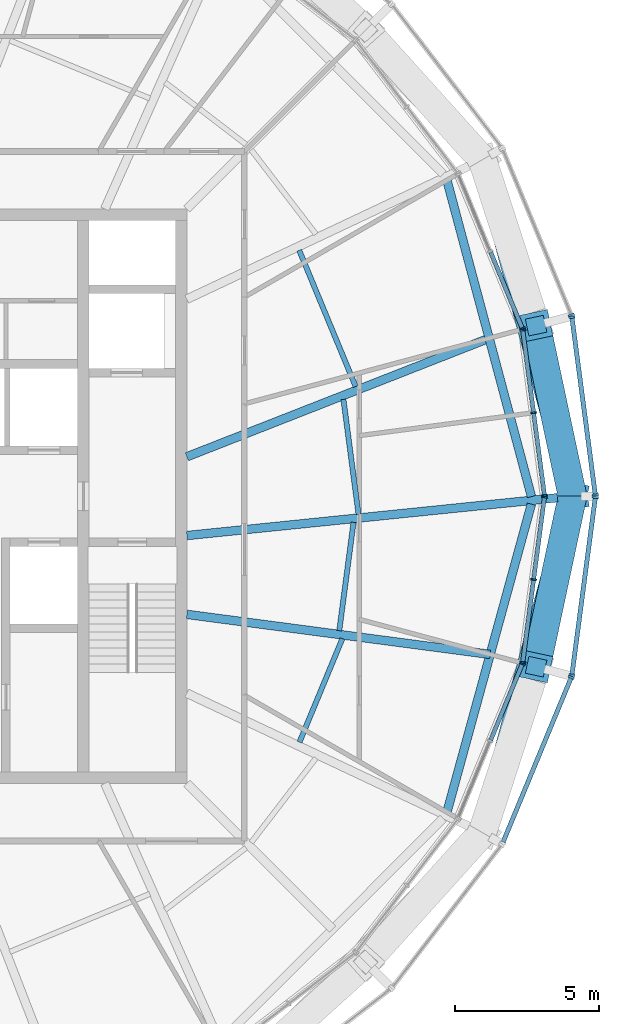
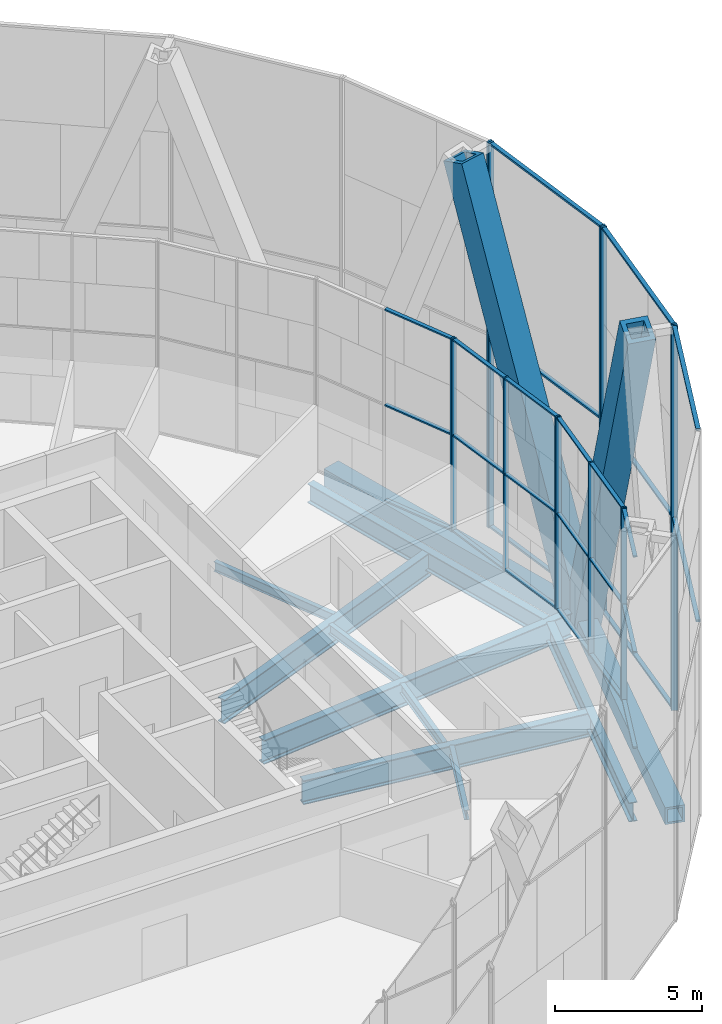
# One storey, part 5 of 22: 42 members, 11 beams, 8 elements without a shape of their own.
"""IFC4 building model written with IfcOpenShell, lengths in metres."""

from ifc_helpers import new_model, si_unit, direction, frame, origin, origin_2d, place, context, subcontext, project, spatial, rectangle, hollow_rectangle, i_section, extrude, material, material_profile, profile_set, type_object, element, aggregate, save


model = new_model("IFC4")

# Units and contexts
model_context = context("Model", 3, precision=1e-05, world=origin(), true_north=direction((0.0, 1.0)))
body_context = subcontext(model_context, "Body", "Model", "MODEL_VIEW")
ifc_project = project(units=[si_unit("LENGTHUNIT", "METRE"), si_unit("AREAUNIT", "SQUARE_METRE"), si_unit("VOLUMEUNIT", "CUBIC_METRE"), si_unit("PLANEANGLEUNIT", "RADIAN"), si_unit("MASSUNIT", "GRAM", prefix="KILO")], contexts=[model_context])

# Site, building, storey
site_placement = place(None, origin())
site = spatial("IfcSite", under=ifc_project, at=site_placement, CompositionType="ELEMENT")
building_placement = place(site_placement, origin())
building = spatial("IfcBuilding", under=site, at=building_placement, Name="Golbaran Civic Tower", CompositionType="ELEMENT")
storey_placement = place(building_placement, frame((0.0, 0.0, 248.0)))
storey = spatial("IfcBuildingStorey", under=building, at=storey_placement, Name="L60", CompositionType="ELEMENT", Elevation=248.0)

# Members
ifc_material_1 = material(Name="Steel S355", Category="steel")
ifc_material_profile_1 = material_profile(ifc_material_1, hollow_rectangle(XDim=1.0, YDim=1.0, WallThickness=0.179931640625, at=origin_2d()), Name="BOX 1000x1000x180")
ifc_profile_set_1 = profile_set([ifc_material_profile_1], Name="Steel S355")
member_type_1 = type_object("IfcMemberType", Name="DIAGRID DIAGONAL BOX 1000x1000x180", PredefinedType="BRACE", material=ifc_profile_set_1)
for number, where, z_axis, x_axis, name in (
    (1, (23.423095703125, 0.0, -0.7099609375), (-0.07401466611, 0.346918780994, 0.934970153852), (-0.977989772584, -0.208652833004, 0.0), "Diagonal D14-00R L60-L64"),
    (2, (23.423095703125, 0.0, -0.7099609375), (-0.07401466611, -0.346918780994, 0.934970153852), (0.977989772584, -0.208652833004, 0.0), "Diagonal D14-00L L60-L64"),
):
    element("IfcMember", number, at=place(storey_placement, frame(where, z_axis=z_axis, x_axis=x_axis)), inside=storey, type_object=member_type_1, Name=name, PredefinedType="BRACE", context=body_context, shape_type="SweptSolid", body=[
        extrude(hollow_rectangle(XDim=1.0, YDim=1.0, WallThickness=0.179931640625, at=origin_2d()), origin(), (0.0, 0.0, 1.0), 17.11279296875),
    ])

# Beams
ifc_material_profile_2 = material_profile(ifc_material_1, hollow_rectangle(XDim=0.699951171875, YDim=0.699951171875, WallThickness=0.080078125, at=origin_2d()), Name="BOX 700x700x80")
ifc_profile_set_2 = profile_set([ifc_material_profile_2], Name="Steel S355")
beam_type_1 = type_object("IfcBeamType", Name="DIAGRID RING TIE BOX 700x700x80", PredefinedType="BEAM", material=ifc_profile_set_2)
for number, where, z_axis, x_axis, name in (
    (3, (23.423095703125, 0.0, -0.7099609375), (-0.258828011046, 0.965923423827, 0.0), (-0.965923423827, -0.258828011046, 0.0), "Ring tie 0.00 L60"),
    (4, (20.284912109375, -11.71142578125, -0.7099609375), (0.258828011046, 0.965923423827, 0.0), (-0.965923423827, 0.258828011046, 0.0), "Ring tie 330.00 L60"),
):
    element("IfcBeam", number, at=place(storey_placement, frame(where, z_axis=z_axis, x_axis=x_axis)), inside=storey, type_object=beam_type_1, Name=name, PredefinedType="BEAM", context=body_context, shape_type="SweptSolid", body=[
        extrude(hollow_rectangle(XDim=0.699951171875, YDim=0.699951171875, WallThickness=0.080078125, at=origin_2d()), origin(), (0.0, 0.0, 1.0), 12.12451171875),
    ])
ifc_material_profile_3 = material_profile(ifc_material_1, i_section(OverallWidth=0.300048828125, OverallDepth=0.800048828125, WebThickness=0.017578125, FlangeThickness=0.032958984375, FilletRadius=0.030029296875, at=origin_2d()), Name="HEB 800")
ifc_profile_set_3 = profile_set([ifc_material_profile_3], Name="Steel S355")
beam_type_2 = type_object("IfcBeamType", Name="EDGE BEAM HEB 800", PredefinedType="BEAM", material=ifc_profile_set_3)
beam_1_placement = place(storey_placement, frame((21.995361328125, -0.01513671875, -0.60009765625), z_axis=(-0.258216339749, 0.966087119201, 0.0), x_axis=(-0.966087119201, -0.258216339749, 0.0)))
element("IfcBeam", 5, at=beam_1_placement, inside=storey, type_object=beam_type_2, Name="Edge beam 0.00 L60", PredefinedType="BEAM", context=body_context, shape_type="SweptSolid", body=[
    extrude(i_section(OverallWidth=0.300048828125, OverallDepth=0.800048828125, WebThickness=0.017578125, FlangeThickness=0.032958984375, FilletRadius=0.030029296875, at=origin_2d()), origin(), (0.0, 0.0, 1.0), 11.388427734375),
])
beam_2_placement = place(storey_placement, frame((19.055419921875, -10.987548828125, -0.60009765625), z_axis=(0.264471267645, 0.964393565195, 0.0), x_axis=(-0.964393565195, 0.264471267645, 0.0)))
element("IfcBeam", 6, at=beam_2_placement, inside=storey, type_object=beam_type_2, Name="Edge beam 330.00 L60", PredefinedType="BEAM", context=body_context, shape_type="SweptSolid", body=[
    extrude(i_section(OverallWidth=0.300048828125, OverallDepth=0.800048828125, WebThickness=0.017578125, FlangeThickness=0.032958984375, FilletRadius=0.030029296875, at=origin_2d()), origin(), (0.0, 0.0, 1.0), 11.106201171875),
])
ifc_material_profile_4 = material_profile(ifc_material_1, i_section(OverallWidth=0.179931640625, OverallDepth=0.39990234375, WebThickness=0.008544921875, FlangeThickness=0.013427734375, FilletRadius=0.02099609375, at=origin_2d()), Name="IPE 400")
ifc_profile_set_4 = profile_set([ifc_material_profile_4], Name="Steel S355")
beam_type_3 = type_object("IfcBeamType", Name="FLOOR INFILL BEAM IPE 400", PredefinedType="BEAM", material=ifc_profile_set_4)
beam_3_placement = place(storey_placement, frame((15.9755859375, -0.630126953125, -0.39990234375), z_axis=(-0.130482692355, 0.991450587269, 0.0), x_axis=(-0.991450587269, -0.130482692355, 0.0)))
element("IfcBeam", 7, at=beam_3_placement, inside=storey, type_object=beam_type_3, Name="Infill beam 7.50 L60", PredefinedType="BEAM", context=body_context, shape_type="SweptSolid", body=[
    extrude(i_section(OverallWidth=0.179931640625, OverallDepth=0.39990234375, WebThickness=0.008544921875, FlangeThickness=0.013427734375, FilletRadius=0.02099609375, at=origin_2d()), origin(), (0.0, 0.0, 1.0), 4.033935546875),
])
beam_4_placement = place(storey_placement, frame((15.87548828125, 3.81591796875, -0.39990234375), z_axis=(-0.382710176981, 0.923868454075, 0.0), x_axis=(-0.923868454075, -0.382710176981, 0.0)))
element("IfcBeam", 8, at=beam_4_placement, inside=storey, type_object=beam_type_3, Name="Infill beam 22.50 L60", PredefinedType="BEAM", context=body_context, shape_type="SweptSolid", body=[
    extrude(i_section(OverallWidth=0.179931640625, OverallDepth=0.39990234375, WebThickness=0.008544921875, FlangeThickness=0.013427734375, FilletRadius=0.02099609375, at=origin_2d()), origin(), (0.0, 0.0, 1.0), 5.134033203125),
])
beam_5_placement = place(storey_placement, frame((13.919677734375, -8.5634765625, -0.39990234375), z_axis=(0.382663237128, 0.923887897394, 0.0), x_axis=(-0.923887897394, 0.382663237128, 0.0)))
element("IfcBeam", 9, at=beam_5_placement, inside=storey, type_object=beam_type_3, Name="Infill beam 337.50 L60", PredefinedType="BEAM", context=body_context, shape_type="SweptSolid", body=[
    extrude(i_section(OverallWidth=0.179931640625, OverallDepth=0.39990234375, WebThickness=0.008544921875, FlangeThickness=0.013427734375, FilletRadius=0.02099609375, at=origin_2d()), origin(), (0.0, 0.0, 1.0), 3.900146484375),
])
beam_6_placement = place(storey_placement, frame((15.304443359375, -4.68359375, -0.39990234375), z_axis=(0.130512577798, 0.991446653651, 0.0), x_axis=(-0.991446653651, 0.130512577798, 0.0)))
element("IfcBeam", 10, at=beam_6_placement, inside=storey, type_object=beam_type_3, Name="Infill beam 352.50 L60", PredefinedType="BEAM", context=body_context, shape_type="SweptSolid", body=[
    extrude(i_section(OverallWidth=0.179931640625, OverallDepth=0.39990234375, WebThickness=0.008544921875, FlangeThickness=0.013427734375, FilletRadius=0.02099609375, at=origin_2d()), origin(), (0.0, 0.0, 1.0), 3.806640625),
])

# Curtain wall, members
ifc_material_2 = material(Name="Aluminium and glass", Category="aluminium")
curtain_wall_type_1 = type_object("IfcCurtainWallType", Name="INNER SKIN CURTAIN WALL EXECUTIVE", PredefinedType="NOTDEFINED", material=ifc_material_2)
curtain_wall_1_placement = place(storey_placement, origin())
curtain_wall_1 = element("IfcCurtainWall", 11, at=curtain_wall_1_placement, inside=storey, type_object=curtain_wall_type_1, Name="Inner skin L60 facet 1 CW2", ObjectType="INNER SKIN", PredefinedType="USERDEFINED")
ifc_material_3 = material(Name="Aluminium", Category="aluminium")
ifc_material_profile_5 = material_profile(ifc_material_3, rectangle(XDim=0.199951171875, YDim=0.06005859375, at=origin_2d()), Name="INNER SKIN CURTAIN WALL EXECUTIVE MULLION")
ifc_profile_set_5 = profile_set([ifc_material_profile_5], Name="Aluminium")
member_type_2 = type_object("IfcMemberType", Name="INNER SKIN CURTAIN WALL EXECUTIVE MULLION", PredefinedType="MULLION", material=ifc_profile_set_5)
member_1_placement = place(storey_placement, frame((22.447998046875, 0.02978515625, 0.0), z_axis=(0.0, 0.0, 1.0), x_axis=(-0.991444861378, -0.130526192185, 0.0)))
member_1 = element("IfcMember", 12, at=member_1_placement, type_object=member_type_2, Name="CW2 mullion 1", PredefinedType="MULLION", context=body_context, shape_type="SweptSolid", body=[
    extrude(rectangle(XDim=0.199951171875, YDim=0.06005859375, at=origin_2d()), origin(), (0.0, 0.0, 1.0), 8.0),
])
member_2_placement = place(storey_placement, frame((22.069580078125, 2.905517578125, 0.0), z_axis=(0.0, 0.0, 1.0), x_axis=(-0.991444861378, -0.130526192185, 0.0)))
member_2 = element("IfcMember", 13, at=member_2_placement, type_object=member_type_2, Name="CW2 mullion 2", PredefinedType="MULLION", context=body_context, shape_type="SweptSolid", body=[
    extrude(rectangle(XDim=0.199951171875, YDim=0.06005859375, at=origin_2d()), origin(), (0.0, 0.0, 1.0), 8.0),
])
member_3_placement = place(storey_placement, frame((21.69091796875, 5.78125, 0.0), z_axis=(0.0, 0.0, 1.0), x_axis=(-0.991444861378, -0.130526192185, 0.0)))
member_3 = element("IfcMember", 14, at=member_3_placement, type_object=member_type_2, Name="CW2 mullion 3", PredefinedType="MULLION", context=body_context, shape_type="SweptSolid", body=[
    extrude(rectangle(XDim=0.199951171875, YDim=0.06005859375, at=origin_2d()), origin(), (0.0, 0.0, 1.0), 8.0),
])

# Curtain wall, member
curtain_wall_2_placement = place(storey_placement, origin())
curtain_wall_2 = element("IfcCurtainWall", 15, at=curtain_wall_2_placement, inside=storey, type_object=curtain_wall_type_1, Name="Inner skin L60 facet 2 CW2", ObjectType="INNER SKIN", PredefinedType="USERDEFINED")
member_4_placement = place(storey_placement, frame((21.675537109375, 5.838623046875, 0.0), z_axis=(0.0, 0.0, 1.0), x_axis=(-0.923879532505, -0.382683432381, 0.0)))
member_4 = element("IfcMember", 16, at=member_4_placement, type_object=member_type_2, Name="CW2 mullion 1", PredefinedType="MULLION", context=body_context, shape_type="SweptSolid", body=[
    extrude(rectangle(XDim=0.199951171875, YDim=0.06005859375, at=origin_2d()), origin(), (0.0, 0.0, 1.0), 8.0),
])

curtain_wall_3_placement = place(storey_placement, origin())
curtain_wall_3 = element("IfcCurtainWall", 17, at=curtain_wall_3_placement, inside=storey, type_object=curtain_wall_type_1, Name="Inner skin L60 facet 23 CW2", ObjectType="INNER SKIN", PredefinedType="USERDEFINED")
member_5_placement = place(storey_placement, frame((21.675537109375, -5.838623046875, 0.0), z_axis=(0.0, 0.0, 1.0), x_axis=(-0.923879532505, 0.382683432381, 0.0)))
member_5 = element("IfcMember", 18, at=member_5_placement, type_object=member_type_2, Name="CW2 mullion 3", PredefinedType="MULLION", context=body_context, shape_type="SweptSolid", body=[
    extrude(rectangle(XDim=0.199951171875, YDim=0.06005859375, at=origin_2d()), origin(), (0.0, 0.0, 1.0), 8.0),
])

# Curtain wall, members
curtain_wall_4_placement = place(storey_placement, origin())
curtain_wall_4 = element("IfcCurtainWall", 19, at=curtain_wall_4_placement, inside=storey, type_object=curtain_wall_type_1, Name="Inner skin L60 facet 24 CW2", ObjectType="INNER SKIN", PredefinedType="USERDEFINED")
member_6_placement = place(storey_placement, frame((21.69091796875, -5.78125, 0.0), z_axis=(0.0, 0.0, 1.0), x_axis=(-0.991444861378, 0.130526192185, 0.0)))
member_6 = element("IfcMember", 20, at=member_6_placement, type_object=member_type_2, Name="CW2 mullion 1", PredefinedType="MULLION", context=body_context, shape_type="SweptSolid", body=[
    extrude(rectangle(XDim=0.199951171875, YDim=0.06005859375, at=origin_2d()), origin(), (0.0, 0.0, 1.0), 8.0),
])
member_7_placement = place(storey_placement, frame((22.069580078125, -2.905517578125, 0.0), z_axis=(0.0, 0.0, 1.0), x_axis=(-0.991444861378, 0.130526192185, 0.0)))
member_7 = element("IfcMember", 21, at=member_7_placement, type_object=member_type_2, Name="CW2 mullion 2", PredefinedType="MULLION", context=body_context, shape_type="SweptSolid", body=[
    extrude(rectangle(XDim=0.199951171875, YDim=0.06005859375, at=origin_2d()), origin(), (0.0, 0.0, 1.0), 8.0),
])
member_8_placement = place(storey_placement, frame((22.447998046875, -0.02978515625, 0.0), z_axis=(0.0, 0.0, 1.0), x_axis=(-0.991444861378, 0.130526192185, 0.0)))
member_8 = element("IfcMember", 22, at=member_8_placement, type_object=member_type_2, Name="CW2 mullion 3", PredefinedType="MULLION", context=body_context, shape_type="SweptSolid", body=[
    extrude(rectangle(XDim=0.199951171875, YDim=0.06005859375, at=origin_2d()), origin(), (0.0, 0.0, 1.0), 8.0),
])

# Member
ifc_material_profile_6 = material_profile(ifc_material_3, rectangle(XDim=0.14990234375, YDim=0.06005859375, at=origin_2d()), Name="INNER SKIN CURTAIN WALL EXECUTIVE TRANSOM")
ifc_profile_set_6 = profile_set([ifc_material_profile_6], Name="Aluminium")
member_type_3 = type_object("IfcMemberType", Name="INNER SKIN CURTAIN WALL EXECUTIVE TRANSOM", PredefinedType="USERDEFINED", material=ifc_profile_set_6)
member_9_placement = place(storey_placement, frame((22.444091796875, 0.0595703125, 0.030029296875), z_axis=(-0.130474523059, 0.991451662378, 0.0), x_axis=(-0.991451662378, -0.130474523059, 0.0)))
member_9 = element("IfcMember", 23, at=member_9_placement, type_object=member_type_3, Name="CW2 transom 1.1", ObjectType="TRANSOM", PredefinedType="USERDEFINED", context=body_context, shape_type="SweptSolid", body=[
    extrude(rectangle(XDim=0.14990234375, YDim=0.06005859375, at=origin_2d()), origin(), (0.0, 0.0, 1.0), 2.84033203125),
])

member_10_placement = place(storey_placement, frame((22.444091796875, 0.0595703125, 4.0), z_axis=(-0.130474523059, 0.991451662378, 0.0), x_axis=(-0.991451662378, -0.130474523059, 0.0)))
member_10 = element("IfcMember", 24, at=member_10_placement, type_object=member_type_3, Name="CW2 transom 1.2", ObjectType="TRANSOM", PredefinedType="USERDEFINED", context=body_context, shape_type="SweptSolid", body=[
    extrude(rectangle(XDim=0.14990234375, YDim=0.06005859375, at=origin_2d()), origin(), (0.0, 0.0, 1.0), 2.84033203125),
])

member_11_placement = place(storey_placement, frame((22.444091796875, 0.0595703125, 7.969970703125), z_axis=(-0.130474523059, 0.991451662378, 0.0), x_axis=(-0.991451662378, -0.130474523059, 0.0)))
member_11 = element("IfcMember", 25, at=member_11_placement, type_object=member_type_3, Name="CW2 transom 1.3", ObjectType="TRANSOM", PredefinedType="USERDEFINED", context=body_context, shape_type="SweptSolid", body=[
    extrude(rectangle(XDim=0.14990234375, YDim=0.06005859375, at=origin_2d()), origin(), (0.0, 0.0, 1.0), 2.84033203125),
])

member_12_placement = place(storey_placement, frame((22.065673828125, 2.935302734375, 0.030029296875), z_axis=(-0.130559010028, 0.991440540275, 0.0), x_axis=(-0.991440540275, -0.130559010028, 0.0)))
member_12 = element("IfcMember", 26, at=member_12_placement, type_object=member_type_3, Name="CW2 transom 2.1", ObjectType="TRANSOM", PredefinedType="USERDEFINED", context=body_context, shape_type="SweptSolid", body=[
    extrude(rectangle(XDim=0.14990234375, YDim=0.06005859375, at=origin_2d()), origin(), (0.0, 0.0, 1.0), 2.840576171875),
])

member_13_placement = place(storey_placement, frame((22.065673828125, 2.935302734375, 4.0), z_axis=(-0.130559010028, 0.991440540275, 0.0), x_axis=(-0.991440540275, -0.130559010028, 0.0)))
member_13 = element("IfcMember", 27, at=member_13_placement, type_object=member_type_3, Name="CW2 transom 2.2", ObjectType="TRANSOM", PredefinedType="USERDEFINED", context=body_context, shape_type="SweptSolid", body=[
    extrude(rectangle(XDim=0.14990234375, YDim=0.06005859375, at=origin_2d()), origin(), (0.0, 0.0, 1.0), 2.840576171875),
])

member_14_placement = place(storey_placement, frame((22.065673828125, 2.935302734375, 7.969970703125), z_axis=(-0.130559010028, 0.991440540275, 0.0), x_axis=(-0.991440540275, -0.130559010028, 0.0)))
member_14 = element("IfcMember", 28, at=member_14_placement, type_object=member_type_3, Name="CW2 transom 2.3", ObjectType="TRANSOM", PredefinedType="USERDEFINED", context=body_context, shape_type="SweptSolid", body=[
    extrude(rectangle(XDim=0.14990234375, YDim=0.06005859375, at=origin_2d()), origin(), (0.0, 0.0, 1.0), 2.840576171875),
])

aggregate(curtain_wall_1, [member_1, member_2, member_3, member_9, member_10, member_11, member_12, member_13, member_14])

member_15_placement = place(storey_placement, frame((21.6640625, 5.866455078125, 0.030029296875), z_axis=(-0.382728800078, 0.923860739284, 0.0), x_axis=(-0.923860739284, -0.382728800078, 0.0)))
member_15 = element("IfcMember", 29, at=member_15_placement, type_object=member_type_3, Name="CW2 transom 1.1", ObjectType="TRANSOM", PredefinedType="USERDEFINED", context=body_context, shape_type="SweptSolid", body=[
    extrude(rectangle(XDim=0.14990234375, YDim=0.06005859375, at=origin_2d()), origin(), (0.0, 0.0, 1.0), 2.840576171875),
])

member_16_placement = place(storey_placement, frame((21.6640625, 5.866455078125, 4.0), z_axis=(-0.382728800078, 0.923860739284, 0.0), x_axis=(-0.923860739284, -0.382728800078, 0.0)))
member_16 = element("IfcMember", 30, at=member_16_placement, type_object=member_type_3, Name="CW2 transom 1.2", ObjectType="TRANSOM", PredefinedType="USERDEFINED", context=body_context, shape_type="SweptSolid", body=[
    extrude(rectangle(XDim=0.14990234375, YDim=0.06005859375, at=origin_2d()), origin(), (0.0, 0.0, 1.0), 2.840576171875),
])

member_17_placement = place(storey_placement, frame((21.6640625, 5.866455078125, 7.969970703125), z_axis=(-0.382728800078, 0.923860739284, 0.0), x_axis=(-0.923860739284, -0.382728800078, 0.0)))
member_17 = element("IfcMember", 31, at=member_17_placement, type_object=member_type_3, Name="CW2 transom 1.3", ObjectType="TRANSOM", PredefinedType="USERDEFINED", context=body_context, shape_type="SweptSolid", body=[
    extrude(rectangle(XDim=0.14990234375, YDim=0.06005859375, at=origin_2d()), origin(), (0.0, 0.0, 1.0), 2.840576171875),
])

aggregate(curtain_wall_2, [member_4, member_15, member_16, member_17])

member_18_placement = place(storey_placement, frame((20.576904296875, -8.49072265625, 0.030029296875), z_axis=(0.382728800078, 0.923860739284, 0.0), x_axis=(-0.923860739284, 0.382728800078, 0.0)))
member_18 = element("IfcMember", 32, at=member_18_placement, type_object=member_type_3, Name="CW2 transom 2.1", ObjectType="TRANSOM", PredefinedType="USERDEFINED", context=body_context, shape_type="SweptSolid", body=[
    extrude(rectangle(XDim=0.14990234375, YDim=0.06005859375, at=origin_2d()), origin(), (0.0, 0.0, 1.0), 2.840576171875),
])

member_19_placement = place(storey_placement, frame((20.576904296875, -8.49072265625, 4.0), z_axis=(0.382728800078, 0.923860739284, 0.0), x_axis=(-0.923860739284, 0.382728800078, 0.0)))
member_19 = element("IfcMember", 33, at=member_19_placement, type_object=member_type_3, Name="CW2 transom 2.2", ObjectType="TRANSOM", PredefinedType="USERDEFINED", context=body_context, shape_type="SweptSolid", body=[
    extrude(rectangle(XDim=0.14990234375, YDim=0.06005859375, at=origin_2d()), origin(), (0.0, 0.0, 1.0), 2.840576171875),
])

member_20_placement = place(storey_placement, frame((20.576904296875, -8.49072265625, 7.969970703125), z_axis=(0.382728800078, 0.923860739284, 0.0), x_axis=(-0.923860739284, 0.382728800078, 0.0)))
member_20 = element("IfcMember", 34, at=member_20_placement, type_object=member_type_3, Name="CW2 transom 2.3", ObjectType="TRANSOM", PredefinedType="USERDEFINED", context=body_context, shape_type="SweptSolid", body=[
    extrude(rectangle(XDim=0.14990234375, YDim=0.06005859375, at=origin_2d()), origin(), (0.0, 0.0, 1.0), 2.840576171875),
])

aggregate(curtain_wall_3, [member_5, member_18, member_19, member_20])

member_21_placement = place(storey_placement, frame((21.69482421875, -5.75146484375, 0.030029296875), z_axis=(0.130559010028, 0.991440540275, 0.0), x_axis=(-0.991440540275, 0.130559010028, 0.0)))
member_21 = element("IfcMember", 35, at=member_21_placement, type_object=member_type_3, Name="CW2 transom 1.1", ObjectType="TRANSOM", PredefinedType="USERDEFINED", context=body_context, shape_type="SweptSolid", body=[
    extrude(rectangle(XDim=0.14990234375, YDim=0.06005859375, at=origin_2d()), origin(), (0.0, 0.0, 1.0), 2.840576171875),
])

member_22_placement = place(storey_placement, frame((21.69482421875, -5.75146484375, 4.0), z_axis=(0.130559010028, 0.991440540275, 0.0), x_axis=(-0.991440540275, 0.130559010028, 0.0)))
member_22 = element("IfcMember", 36, at=member_22_placement, type_object=member_type_3, Name="CW2 transom 1.2", ObjectType="TRANSOM", PredefinedType="USERDEFINED", context=body_context, shape_type="SweptSolid", body=[
    extrude(rectangle(XDim=0.14990234375, YDim=0.06005859375, at=origin_2d()), origin(), (0.0, 0.0, 1.0), 2.840576171875),
])

member_23_placement = place(storey_placement, frame((21.69482421875, -5.75146484375, 7.969970703125), z_axis=(0.130559010028, 0.991440540275, 0.0), x_axis=(-0.991440540275, 0.130559010028, 0.0)))
member_23 = element("IfcMember", 37, at=member_23_placement, type_object=member_type_3, Name="CW2 transom 1.3", ObjectType="TRANSOM", PredefinedType="USERDEFINED", context=body_context, shape_type="SweptSolid", body=[
    extrude(rectangle(XDim=0.14990234375, YDim=0.06005859375, at=origin_2d()), origin(), (0.0, 0.0, 1.0), 2.840576171875),
])

member_24_placement = place(storey_placement, frame((22.073486328125, -2.875732421875, 0.030029296875), z_axis=(0.130474523059, 0.991451662378, 0.0), x_axis=(-0.991451662378, 0.130474523059, 0.0)))
member_24 = element("IfcMember", 38, at=member_24_placement, type_object=member_type_3, Name="CW2 transom 2.1", ObjectType="TRANSOM", PredefinedType="USERDEFINED", context=body_context, shape_type="SweptSolid", body=[
    extrude(rectangle(XDim=0.14990234375, YDim=0.06005859375, at=origin_2d()), origin(), (0.0, 0.0, 1.0), 2.84033203125),
])

member_25_placement = place(storey_placement, frame((22.073486328125, -2.875732421875, 4.0), z_axis=(0.130474523059, 0.991451662378, 0.0), x_axis=(-0.991451662378, 0.130474523059, 0.0)))
member_25 = element("IfcMember", 39, at=member_25_placement, type_object=member_type_3, Name="CW2 transom 2.2", ObjectType="TRANSOM", PredefinedType="USERDEFINED", context=body_context, shape_type="SweptSolid", body=[
    extrude(rectangle(XDim=0.14990234375, YDim=0.06005859375, at=origin_2d()), origin(), (0.0, 0.0, 1.0), 2.84033203125),
])

member_26_placement = place(storey_placement, frame((22.073486328125, -2.875732421875, 7.969970703125), z_axis=(0.130474523059, 0.991451662378, 0.0), x_axis=(-0.991451662378, 0.130474523059, 0.0)))
member_26 = element("IfcMember", 40, at=member_26_placement, type_object=member_type_3, Name="CW2 transom 2.3", ObjectType="TRANSOM", PredefinedType="USERDEFINED", context=body_context, shape_type="SweptSolid", body=[
    extrude(rectangle(XDim=0.14990234375, YDim=0.06005859375, at=origin_2d()), origin(), (0.0, 0.0, 1.0), 2.84033203125),
])

aggregate(curtain_wall_4, [member_6, member_7, member_8, member_21, member_22, member_23, member_24, member_25, member_26])

# Curtain wall, members
curtain_wall_type_2 = type_object("IfcCurtainWallType", Name="OUTER SKIN TERRACOTTA SCREEN", PredefinedType="NOTDEFINED", material=ifc_material_2)
curtain_wall_5_placement = place(storey_placement, origin())
curtain_wall_5 = element("IfcCurtainWall", 41, at=curtain_wall_5_placement, inside=storey, type_object=curtain_wall_type_2, Name="Outer skin L60 facet 1 CW3", ObjectType="OUTER SKIN", PredefinedType="USERDEFINED")
ifc_material_profile_7 = material_profile(ifc_material_3, rectangle(XDim=0.219970703125, YDim=0.080078125, at=origin_2d()), Name="OUTER SKIN TERRACOTTA SCREEN MULLION")
ifc_profile_set_7 = profile_set([ifc_material_profile_7], Name="Aluminium")
member_type_4 = type_object("IfcMemberType", Name="OUTER SKIN TERRACOTTA SCREEN MULLION", PredefinedType="MULLION", material=ifc_profile_set_7)
member_27_placement = place(storey_placement, frame((24.2177734375, 0.03955078125, -0.7099609375), z_axis=(0.0, 0.0, 1.0), x_axis=(-0.991444861372, -0.130526192237, 0.0)))
member_27 = element("IfcMember", 42, at=member_27_placement, type_object=member_type_4, Name="CW3 mullion 1", PredefinedType="MULLION", context=body_context, shape_type="SweptSolid", body=[
    extrude(rectangle(XDim=0.219970703125, YDim=0.080078125, at=origin_2d()), origin(), (0.0, 0.0, 1.0), 16.0),
])
member_28_placement = place(storey_placement, frame((23.40283203125, 6.229736328125, -0.7099609375), z_axis=(0.0, 0.0, 1.0), x_axis=(-0.991444861372, -0.130526192237, 0.0)))
member_28 = element("IfcMember", 43, at=member_28_placement, type_object=member_type_4, Name="CW3 mullion 2", PredefinedType="MULLION", context=body_context, shape_type="SweptSolid", body=[
    extrude(rectangle(XDim=0.219970703125, YDim=0.080078125, at=origin_2d()), origin(), (0.0, 0.0, 1.0), 16.0),
])

# Curtain wall, member
curtain_wall_6_placement = place(storey_placement, origin())
curtain_wall_6 = element("IfcCurtainWall", 44, at=curtain_wall_6_placement, inside=storey, type_object=curtain_wall_type_2, Name="Outer skin L60 facet 2 CW3", ObjectType="OUTER SKIN", PredefinedType="USERDEFINED")
member_29_placement = place(storey_placement, frame((23.38232421875, 6.306396484375, -0.7099609375), z_axis=(0.0, 0.0, 1.0), x_axis=(-0.923879532518, -0.382683432349, 0.0)))
member_29 = element("IfcMember", 45, at=member_29_placement, type_object=member_type_4, Name="CW3 mullion 1", PredefinedType="MULLION", context=body_context, shape_type="SweptSolid", body=[
    extrude(rectangle(XDim=0.219970703125, YDim=0.080078125, at=origin_2d()), origin(), (0.0, 0.0, 1.0), 16.0),
])
aggregate(curtain_wall_6, [member_29])

curtain_wall_7_placement = place(storey_placement, origin())
curtain_wall_7 = element("IfcCurtainWall", 46, at=curtain_wall_7_placement, inside=storey, type_object=curtain_wall_type_2, Name="Outer skin L60 facet 23 CW3", ObjectType="OUTER SKIN", PredefinedType="USERDEFINED")
member_30_placement = place(storey_placement, frame((23.38232421875, -6.306396484375, -0.7099609375), z_axis=(0.0, 0.0, 1.0), x_axis=(-0.923879532518, 0.382683432349, 0.0)))
member_30 = element("IfcMember", 47, at=member_30_placement, type_object=member_type_4, Name="CW3 mullion 2", PredefinedType="MULLION", context=body_context, shape_type="SweptSolid", body=[
    extrude(rectangle(XDim=0.219970703125, YDim=0.080078125, at=origin_2d()), origin(), (0.0, 0.0, 1.0), 16.0),
])

# Curtain wall, members
curtain_wall_8_placement = place(storey_placement, origin())
curtain_wall_8 = element("IfcCurtainWall", 48, at=curtain_wall_8_placement, inside=storey, type_object=curtain_wall_type_2, Name="Outer skin L60 facet 24 CW3", ObjectType="OUTER SKIN", PredefinedType="USERDEFINED")
member_31_placement = place(storey_placement, frame((23.40283203125, -6.229736328125, -0.7099609375), z_axis=(0.0, 0.0, 1.0), x_axis=(-0.991444861372, 0.130526192237, 0.0)))
member_31 = element("IfcMember", 49, at=member_31_placement, type_object=member_type_4, Name="CW3 mullion 1", PredefinedType="MULLION", context=body_context, shape_type="SweptSolid", body=[
    extrude(rectangle(XDim=0.219970703125, YDim=0.080078125, at=origin_2d()), origin(), (0.0, 0.0, 1.0), 16.0),
])
member_32_placement = place(storey_placement, frame((24.2177734375, -0.03955078125, -0.7099609375), z_axis=(0.0, 0.0, 1.0), x_axis=(-0.991444861372, 0.130526192237, 0.0)))
member_32 = element("IfcMember", 50, at=member_32_placement, type_object=member_type_4, Name="CW3 mullion 2", PredefinedType="MULLION", context=body_context, shape_type="SweptSolid", body=[
    extrude(rectangle(XDim=0.219970703125, YDim=0.080078125, at=origin_2d()), origin(), (0.0, 0.0, 1.0), 16.0),
])

# Member
ifc_material_profile_8 = material_profile(ifc_material_3, rectangle(XDim=0.159912109375, YDim=0.080078125, at=origin_2d()), Name="OUTER SKIN TERRACOTTA SCREEN TRANSOM")
ifc_profile_set_8 = profile_set([ifc_material_profile_8], Name="Aluminium")
member_type_5 = type_object("IfcMemberType", Name="OUTER SKIN TERRACOTTA SCREEN TRANSOM", PredefinedType="USERDEFINED", material=ifc_profile_set_8)
member_33_placement = place(storey_placement, frame((24.212646484375, 0.079345703125, -0.669921875), z_axis=(-0.13056005306, 0.991440402921, 0.0), x_axis=(-0.991440402921, -0.13056005306, 0.0)))
member_33 = element("IfcMember", 51, at=member_33_placement, type_object=member_type_5, Name="CW3 transom 1.1", ObjectType="TRANSOM", PredefinedType="USERDEFINED", context=body_context, shape_type="SweptSolid", body=[
    extrude(rectangle(XDim=0.159912109375, YDim=0.080078125, at=origin_2d()), origin(), (0.0, 0.0, 1.0), 6.163330078125),
])

member_34_placement = place(storey_placement, frame((24.212646484375, 0.079345703125, 7.2900390625), z_axis=(-0.13056005306, 0.991440402921, 0.0), x_axis=(-0.991440402921, -0.13056005306, 0.0)))
member_34 = element("IfcMember", 52, at=member_34_placement, type_object=member_type_5, Name="CW3 transom 1.2", ObjectType="TRANSOM", PredefinedType="USERDEFINED", context=body_context, shape_type="SweptSolid", body=[
    extrude(rectangle(XDim=0.159912109375, YDim=0.080078125, at=origin_2d()), origin(), (0.0, 0.0, 1.0), 6.163330078125),
])

member_35_placement = place(storey_placement, frame((24.212646484375, 0.079345703125, 15.25), z_axis=(-0.13056005306, 0.991440402921, 0.0), x_axis=(-0.991440402921, -0.13056005306, 0.0)))
member_35 = element("IfcMember", 53, at=member_35_placement, type_object=member_type_5, Name="CW3 transom 1.3", ObjectType="TRANSOM", PredefinedType="USERDEFINED", context=body_context, shape_type="SweptSolid", body=[
    extrude(rectangle(XDim=0.159912109375, YDim=0.080078125, at=origin_2d()), origin(), (0.0, 0.0, 1.0), 6.163330078125),
])

aggregate(curtain_wall_5, [member_27, member_28, member_33, member_34, member_35])

member_36_placement = place(storey_placement, frame((21.00830078125, -12.03759765625, 7.2900390625), z_axis=(0.38267947225, 0.923881172835, 0.0), x_axis=(-0.923881172835, 0.38267947225, 0.0)))
member_36 = element("IfcMember", 54, at=member_36_placement, type_object=member_type_5, Name="CW3 transom 1.2", ObjectType="TRANSOM", PredefinedType="USERDEFINED", context=body_context, shape_type="SweptSolid", body=[
    extrude(rectangle(XDim=0.159912109375, YDim=0.080078125, at=origin_2d()), origin(), (0.0, 0.0, 1.0), 6.16357421875),
])

member_37_placement = place(storey_placement, frame((21.00830078125, -12.03759765625, 15.25), z_axis=(0.38267947225, 0.923881172835, 0.0), x_axis=(-0.923881172835, 0.38267947225, 0.0)))
member_37 = element("IfcMember", 55, at=member_37_placement, type_object=member_type_5, Name="CW3 transom 1.3", ObjectType="TRANSOM", PredefinedType="USERDEFINED", context=body_context, shape_type="SweptSolid", body=[
    extrude(rectangle(XDim=0.159912109375, YDim=0.080078125, at=origin_2d()), origin(), (0.0, 0.0, 1.0), 6.16357421875),
])

aggregate(curtain_wall_7, [member_30, member_36, member_37])

member_38_placement = place(storey_placement, frame((23.407958984375, -6.18994140625, -0.669921875), z_axis=(0.13056005306, 0.991440402921, 0.0), x_axis=(-0.991440402921, 0.13056005306, 0.0)))
member_38 = element("IfcMember", 56, at=member_38_placement, type_object=member_type_5, Name="CW3 transom 1.1", ObjectType="TRANSOM", PredefinedType="USERDEFINED", context=body_context, shape_type="SweptSolid", body=[
    extrude(rectangle(XDim=0.159912109375, YDim=0.080078125, at=origin_2d()), origin(), (0.0, 0.0, 1.0), 6.163330078125),
])

member_39_placement = place(storey_placement, frame((23.407958984375, -6.18994140625, 7.2900390625), z_axis=(0.13056005306, 0.991440402921, 0.0), x_axis=(-0.991440402921, 0.13056005306, 0.0)))
member_39 = element("IfcMember", 57, at=member_39_placement, type_object=member_type_5, Name="CW3 transom 1.2", ObjectType="TRANSOM", PredefinedType="USERDEFINED", context=body_context, shape_type="SweptSolid", body=[
    extrude(rectangle(XDim=0.159912109375, YDim=0.080078125, at=origin_2d()), origin(), (0.0, 0.0, 1.0), 6.163330078125),
])

member_40_placement = place(storey_placement, frame((23.407958984375, -6.18994140625, 15.25), z_axis=(0.13056005306, 0.991440402921, 0.0), x_axis=(-0.991440402921, 0.13056005306, 0.0)))
member_40 = element("IfcMember", 58, at=member_40_placement, type_object=member_type_5, Name="CW3 transom 1.3", ObjectType="TRANSOM", PredefinedType="USERDEFINED", context=body_context, shape_type="SweptSolid", body=[
    extrude(rectangle(XDim=0.159912109375, YDim=0.080078125, at=origin_2d()), origin(), (0.0, 0.0, 1.0), 6.163330078125),
])

aggregate(curtain_wall_8, [member_31, member_32, member_38, member_39, member_40])

# Beams
ifc_material_profile_9 = material_profile(ifc_material_1, i_section(OverallWidth=0.300048828125, OverallDepth=1.0, WebThickness=0.01904296875, FlangeThickness=0.035888671875, FilletRadius=0.030029296875, at=origin_2d()), Name="HEB 1000")
ifc_profile_set_9 = profile_set([ifc_material_profile_9], Name="Steel S355")
beam_type_4 = type_object("IfcBeamType", Name="RADIAL FLOOR BEAM HEB 1000", PredefinedType="BEAM", material=ifc_profile_set_9)
beam_7_placement = place(storey_placement, frame((10.0, -1.371337890625, -0.7099609375), z_axis=(0.994822417487, 0.101628527812, 0.0), x_axis=(-0.101628527812, 0.994822417487, 0.0)))
element("IfcBeam", 59, at=beam_7_placement, inside=storey, type_object=beam_type_4, Name="Radial beam 0.00 L60", PredefinedType="BEAM", context=body_context, shape_type="SweptSolid", body=[
    extrude(i_section(OverallWidth=0.300048828125, OverallDepth=1.0, WebThickness=0.01904296875, FlangeThickness=0.035888671875, FilletRadius=0.030029296875, at=origin_2d()), origin(), (0.0, 0.0, 1.0), 12.967529296875),
])
ifc_material_profile_10 = material_profile(ifc_material_1, i_section(OverallWidth=0.300048828125, OverallDepth=1.0, WebThickness=0.01904296875, FlangeThickness=0.035888671875, FilletRadius=0.030029296875, at=origin_2d()), Name="HEB 1000")
ifc_profile_set_10 = profile_set([ifc_material_profile_10], Name="Steel S355")
beam_type_5 = type_object("IfcBeamType", Name="SECONDARY FLOOR BEAM HEB 1000", PredefinedType="BEAM", material=ifc_profile_set_10)
beam_8_placement = place(storey_placement, frame((10.0, 1.371337890625, -0.7099609375), z_axis=(0.930934900497, 0.365185173627, 0.0), x_axis=(-0.365185173627, 0.930934900497, 0.0)))
element("IfcBeam", 60, at=beam_8_placement, inside=storey, type_object=beam_type_5, Name="Secondary beam 15.00 L60", PredefinedType="BEAM", context=body_context, shape_type="SweptSolid", body=[
    extrude(i_section(OverallWidth=0.300048828125, OverallDepth=1.0, WebThickness=0.01904296875, FlangeThickness=0.035888671875, FilletRadius=0.030029296875, at=origin_2d()), origin(), (0.0, 0.0, 1.0), 11.30224609375),
])
beam_9_placement = place(storey_placement, frame((10.0, -4.1142578125, -0.7099609375), z_axis=(0.991392306759, -0.130924765034, 0.0), x_axis=(0.130924765034, 0.991392306759, 0.0)))
element("IfcBeam", 61, at=beam_9_placement, inside=storey, type_object=beam_type_5, Name="Secondary beam 345.00 L60", PredefinedType="BEAM", context=body_context, shape_type="SweptSolid", body=[
    extrude(i_section(OverallWidth=0.300048828125, OverallDepth=1.0, WebThickness=0.01904296875, FlangeThickness=0.035888671875, FilletRadius=0.030029296875, at=origin_2d()), origin(), (0.0, 0.0, 1.0), 10.6494140625),
])

save(model, "model.ifc")
